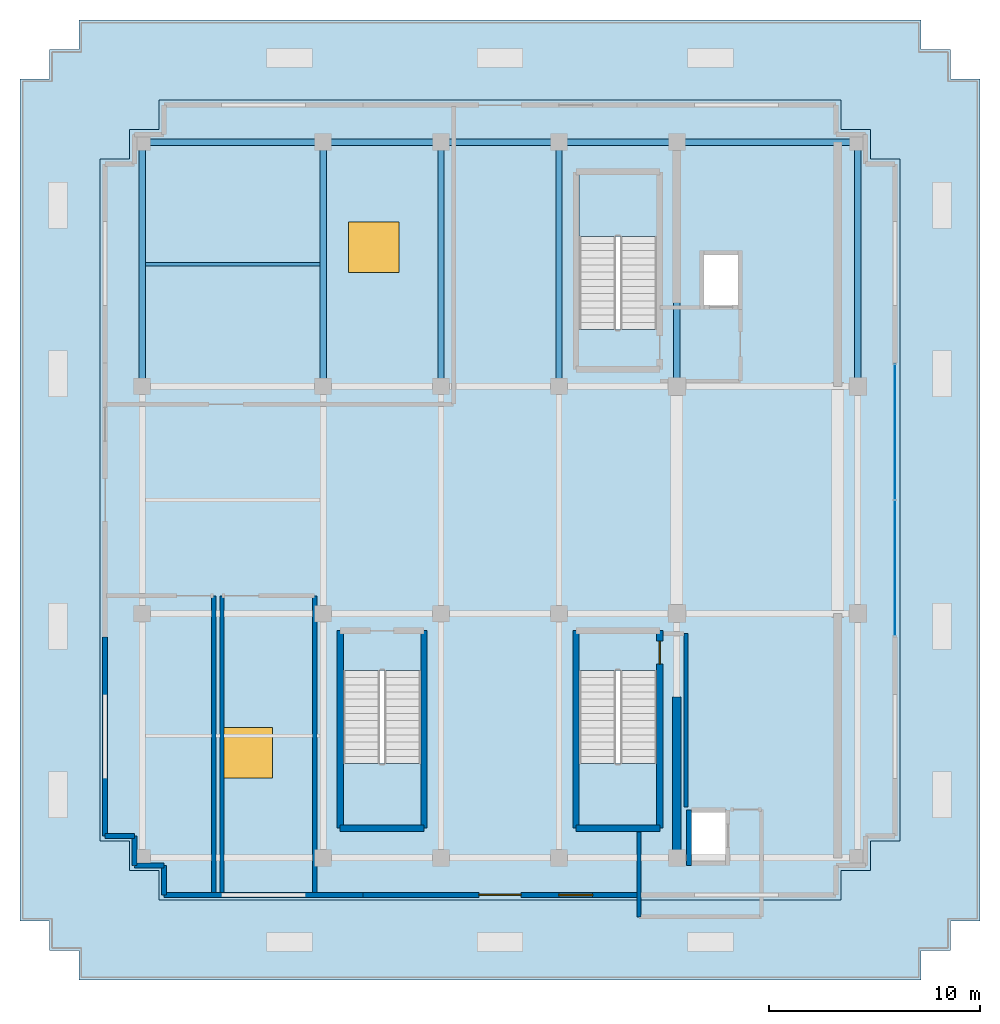
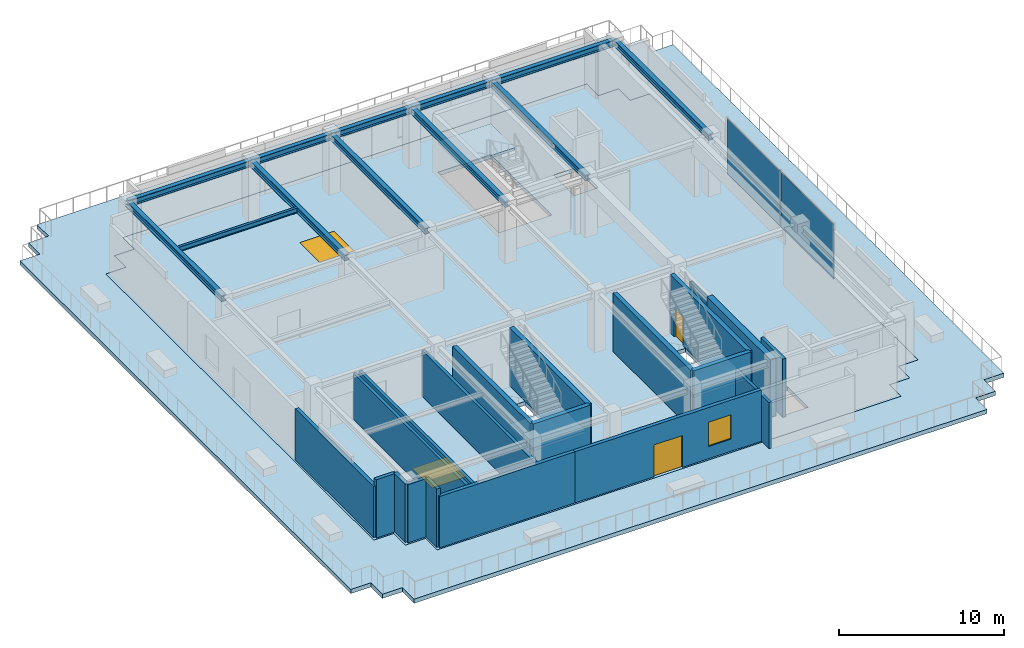
# One storey, part 3 of 13: 20 walls, 12 beams, 5 slabs, 3 windows, 2 doors, 2 plates, 5 openings, 4 elements without a shape of their own.
"""IFC4 building model written with IfcOpenShell, lengths in metres."""

from ifc_helpers import new_model, si_unit, direction, frame, frame_2d, origin, origin_2d, place, context, subcontext, project, spatial, polyline, rectangle, i_section, outline, extrude, source, transform, mapped, material, layer, layer_set, material_profile, profile_set, type_object, element, fill, aggregate, save


model = new_model("IFC4")

# Units and contexts
model_context = context("Model", 3, precision=1e-05, world=origin(), true_north=direction((0.0, 1.0)))
body_context = subcontext(model_context, "Body", "Model", "MODEL_VIEW")
ifc_project = project(units=[si_unit("LENGTHUNIT", "METRE"), si_unit("AREAUNIT", "SQUARE_METRE"), si_unit("VOLUMEUNIT", "CUBIC_METRE"), si_unit("PLANEANGLEUNIT", "RADIAN"), si_unit("MASSUNIT", "GRAM", prefix="KILO")], contexts=[model_context])

# Site, building, storey
site_placement = place(None, origin())
site = spatial("IfcSite", under=ifc_project, at=site_placement, CompositionType="ELEMENT")
building_placement = place(site_placement, origin())
building = spatial("IfcBuilding", under=site, at=building_placement, Name="Nahalor Promenade Grand Hotel", CompositionType="ELEMENT")
storey_placement = place(building_placement, frame((0.0, 0.0, 357.050048828125)))
storey = spatial("IfcBuildingStorey", under=building, at=storey_placement, Name="L91", CompositionType="ELEMENT", Elevation=357.050048828125)

# Beams
ifc_material_1 = material(Name="Steel S355JR", Category="steel")
ifc_material_profile_1 = material_profile(ifc_material_1, i_section(OverallWidth=0.3, OverallDepth=0.45, WebThickness=0.014, FlangeThickness=0.026, at=origin_2d()), Name="HEB 450")
ifc_profile_set_1 = profile_set([ifc_material_profile_1], Name="Steel S355JR")
beam_type_1 = type_object("IfcBeamType", Name="Beam-Girder-HEB450", PredefinedType="BEAM", material=ifc_profile_set_1)
shared_shape_1 = source(origin(), body_context, "Body", "SweptSolid", [
    extrude(i_section(OverallWidth=0.3, OverallDepth=0.45, WebThickness=0.014, FlangeThickness=0.026, at=origin_2d()), origin(), (0.0, 0.0, 1.0), 8.60009765625),
])
for number, where, z_axis, x_axis, name in (
    (1, (-17.0, 17.0, 4.074951171875), (1.0, 0.0, 0.0), (0.0, 1.0, 0.0), "BM-L91-GX-3-0"),
    (2, (8.39990234375, 17.0, 4.074951171875), (1.0, 0.0, 0.0), (0.0, 1.0, 0.0), "BM-L91-GX-3-4"),
):
    element("IfcBeam", number, at=place(storey_placement, frame(where, z_axis=z_axis, x_axis=x_axis)), inside=storey, type_object=beam_type_1, Name=name, PredefinedType="BEAM", context=body_context, shape_type="MappedRepresentation", body=[
        mapped(shared_shape_1, transform((0.0, 0.0, 0.0), scale=1.0)),
    ])
shared_shape_2 = source(origin(), body_context, "Body", "SweptSolid", [
    extrude(i_section(OverallWidth=0.3, OverallDepth=0.45, WebThickness=0.014, FlangeThickness=0.026, at=origin_2d()), origin(), (0.0, 0.0, 1.0), 5.599853515625),
])
for number, where, z_axis, x_axis, name in (
    (3, (-8.39990234375, 17.0, 4.074951171875), (1.0, 0.0, 0.0), (0.0, 1.0, 0.0), "BM-L91-GX-3-1"),
    (4, (2.800048828125, 17.0, 4.074951171875), (1.0, 0.0, 0.0), (0.0, 1.0, 0.0), "BM-L91-GX-3-3"),
):
    element("IfcBeam", number, at=place(storey_placement, frame(where, z_axis=z_axis, x_axis=x_axis)), inside=storey, type_object=beam_type_1, Name=name, PredefinedType="BEAM", context=body_context, shape_type="MappedRepresentation", body=[
        mapped(shared_shape_2, transform((0.0, 0.0, 0.0), scale=1.0)),
    ])
shared_shape_3 = source(origin(), body_context, "Body", "SweptSolid", [
    extrude(i_section(OverallWidth=0.3, OverallDepth=0.45, WebThickness=0.014, FlangeThickness=0.026, at=origin_2d()), origin(), (0.0, 0.0, 1.0), 5.60009765625),
])
beam_1_placement = place(storey_placement, frame((-2.800048828125, 17.0, 4.074951171875), z_axis=(1.0, 0.0, 0.0), x_axis=(0.0, 1.0, 0.0)))
element("IfcBeam", 5, at=beam_1_placement, inside=storey, type_object=beam_type_1, Name="BM-L91-GX-3-2", PredefinedType="BEAM", context=body_context, shape_type="MappedRepresentation", body=[
    mapped(shared_shape_3, transform((0.0, 0.0, 0.0), scale=1.0)),
])
shared_shape_4 = source(origin(), body_context, "Body", "SweptSolid", [
    extrude(i_section(OverallWidth=0.3, OverallDepth=0.45, WebThickness=0.014, FlangeThickness=0.026, at=origin_2d()), origin(), (0.0, 0.0, 1.0), 11.60009765625),
])
for number, where, z_axis, x_axis, name in (
    (6, (-17.0, 5.39990234375, 4.074951171875), (0.0, 1.0, 0.0), (-1.0, 0.0, 0.0), "BM-L91-GY-0-2"),
    (7, (-8.39990234375, 5.39990234375, 4.074951171875), (0.0, 1.0, 0.0), (-1.0, 0.0, 0.0), "BM-L91-GY-1-2"),
    (8, (-2.800048828125, 5.39990234375, 4.074951171875), (0.0, 1.0, 0.0), (-1.0, 0.0, 0.0), "BM-L91-GY-2-2"),
    (9, (2.800048828125, 5.39990234375, 4.074951171875), (0.0, 1.0, 0.0), (-1.0, 0.0, 0.0), "BM-L91-GY-3-2"),
    (10, (8.39990234375, 5.39990234375, 4.074951171875), (0.0, 1.0, 0.0), (-1.0, 0.0, 0.0), "BM-L91-GY-4-2"),
    (11, (17.0, 5.39990234375, 4.074951171875), (0.0, 1.0, 0.0), (-1.0, 0.0, 0.0), "BM-L91-GY-5-2"),
):
    element("IfcBeam", number, at=place(storey_placement, frame(where, z_axis=z_axis, x_axis=x_axis)), inside=storey, type_object=beam_type_1, Name=name, PredefinedType="BEAM", context=body_context, shape_type="MappedRepresentation", body=[
        mapped(shared_shape_4, transform((0.0, 0.0, 0.0), scale=1.0)),
    ])
ifc_material_profile_2 = material_profile(ifc_material_1, i_section(OverallWidth=0.17, OverallDepth=0.36, WebThickness=0.008, FlangeThickness=0.0127, at=origin_2d()), Name="IPE 360")
ifc_profile_set_2 = profile_set([ifc_material_profile_2], Name="Steel S355JR")
beam_type_2 = type_object("IfcBeamType", Name="Beam-Joist-IPE360", PredefinedType="JOIST", material=ifc_profile_set_2)
shared_shape_5 = source(origin(), body_context, "Body", "SweptSolid", [
    extrude(i_section(OverallWidth=0.17, OverallDepth=0.36, WebThickness=0.008, FlangeThickness=0.0127, at=origin_2d()), origin(), (0.0, 0.0, 1.0), 8.300048828125),
])
beam_2_placement = place(storey_placement, frame((-16.85009765625, 11.199951171875, 4.119873046875), z_axis=(1.0, 0.0, 0.0), x_axis=(0.0, 1.0, 0.0)))
element("IfcBeam", 12, at=beam_2_placement, inside=storey, type_object=beam_type_2, Name="BM-L91-JSW-1-1", PredefinedType="JOIST", context=body_context, shape_type="MappedRepresentation", body=[
    mapped(shared_shape_5, transform((0.0, 0.0, 0.0), scale=1.0)),
])

# Stair, slab
ifc_material_2 = material(Name="Concrete B-50 (C40/50)", Category="concrete")
stair_type_1 = type_object("IfcStairType", Name="Stair-ST1", PredefinedType="HALF_TURN_STAIR", material=ifc_material_2)
stair_1_placement = place(storey_placement, origin())
stair_1 = element("IfcStair", 13, at=stair_1_placement, inside=storey, type_object=stair_type_1, Name="L91 ST1", PredefinedType="HALF_TURN_STAIR")
ifc_layer_1 = layer(ifc_material_2, 0.199951171875)
ifc_layer_set_1 = layer_set([ifc_layer_1], Name="Concrete B-50 (C40/50)")
slab_type_1 = type_object("IfcSlabType", Name="Landing-ST1", PredefinedType="LANDING", material=ifc_layer_set_1)
slab_1_placement = place(storey_placement, frame((0.0, 0.0, 2.099853515625)))
slab_1 = element("IfcSlab", 14, at=slab_1_placement, type_object=slab_type_1, Name="ST1 landing 1", PredefinedType="LANDING", context=body_context, shape_type="SweptSolid", body=[
    extrude(outline(polyline([(7.449951171875, 12.52001953125), (7.449951171875, 15.449951171875), (3.75, 15.449951171875), (3.75, 12.52001953125), (7.449951171875, 12.52001953125)])), origin(), (0.0, 0.0, 1.0), 0.2001953125),
])
aggregate(stair_1, [slab_1])

stair_type_2 = type_object("IfcStairType", Name="Stair-ST2", PredefinedType="HALF_TURN_STAIR", material=ifc_material_2)
stair_2_placement = place(storey_placement, origin())
stair_2 = element("IfcStair", 15, at=stair_2_placement, inside=storey, type_object=stair_type_2, Name="L91 ST2", PredefinedType="HALF_TURN_STAIR")
ifc_layer_2 = layer(ifc_material_2, 0.2099609375)
ifc_layer_set_2 = layer_set([ifc_layer_2], Name="Concrete B-50 (C40/50)")
slab_type_2 = type_object("IfcSlabType", Name="Landing-ST2", PredefinedType="LANDING", material=ifc_layer_set_2)
slab_2_placement = place(storey_placement, frame((0.0, 0.0, 2.08984375)))
slab_2 = element("IfcSlab", 16, at=slab_2_placement, type_object=slab_type_2, Name="ST2 landing 1", PredefinedType="LANDING", context=body_context, shape_type="SweptSolid", body=[
    extrude(outline(polyline([(3.75, -12.52001953125), (3.75, -15.449951171875), (7.449951171875, -15.449951171875), (7.449951171875, -12.52001953125), (3.75, -12.52001953125)])), origin(), (0.0, 0.0, 1.0), 0.210205078125),
])
aggregate(stair_2, [slab_2])

stair_type_3 = type_object("IfcStairType", Name="Stair-ST3", PredefinedType="HALF_TURN_STAIR", material=ifc_material_2)
stair_3_placement = place(storey_placement, origin())
stair_3 = element("IfcStair", 17, at=stair_3_placement, inside=storey, type_object=stair_type_3, Name="L91 ST3", PredefinedType="HALF_TURN_STAIR")
ifc_layer_3 = layer(ifc_material_2, 0.219970703125)
ifc_layer_set_3 = layer_set([ifc_layer_3], Name="Concrete B-50 (C40/50)")
slab_type_3 = type_object("IfcSlabType", Name="Landing-ST3", PredefinedType="LANDING", material=ifc_layer_set_3)
slab_3_placement = place(storey_placement, frame((0.0, 0.0, 2.079833984375)))
slab_3 = element("IfcSlab", 18, at=slab_3_placement, type_object=slab_type_3, Name="ST3 landing 1", PredefinedType="LANDING", context=body_context, shape_type="SweptSolid", body=[
    extrude(outline(polyline([(-7.449951171875, -12.52001953125), (-7.449951171875, -15.449951171875), (-3.75, -15.449951171875), (-3.75, -12.52001953125), (-7.449951171875, -12.52001953125)])), origin(), (0.0, 0.0, 1.0), 0.22021484375),
])
aggregate(stair_3, [slab_3])

# Slab
ifc_layer_4 = layer(ifc_material_2, 0.31005859375)
ifc_layer_set_4 = layer_set([ifc_layer_4], Name="Concrete B-50 (C40/50)")
slab_type_4 = type_object("IfcSlabType", Name="Slab-Terrace-310", PredefinedType="FLOOR", material=ifc_layer_set_4)
slab_4_placement = place(storey_placement, frame((0.0, 0.0, -0.31005859375)))
element("IfcSlab", 19, at=slab_4_placement, inside=storey, type_object=slab_type_4, Name="L91 Sky Garden Roof Terrace", PredefinedType="FLOOR", context=body_context, shape_type="SweptSolid", body=[
    extrude(outline(polyline([(-20.0, -22.800048828125), (20.0, -22.800048828125), (20.0, -21.39990234375), (21.39990234375, -21.39990234375), (21.39990234375, -20.0), (22.800048828125, -20.0), (22.800048828125, 20.0), (21.39990234375, 20.0), (21.39990234375, 21.39990234375), (20.0, 21.39990234375), (20.0, 22.800048828125), (-20.0, 22.800048828125), (-20.0, 21.39990234375), (-21.39990234375, 21.39990234375), (-21.39990234375, 20.0), (-22.800048828125, 20.0), (-22.800048828125, -20.0), (-21.39990234375, -20.0), (-21.39990234375, -21.39990234375), (-20.0, -21.39990234375), (-20.0, -22.800048828125)]), holes=[polyline([(-16.199951171875, -19.0), (16.199951171875, -19.0), (16.199951171875, -17.60009765625), (17.60009765625, -17.60009765625), (17.60009765625, -16.199951171875), (19.0, -16.199951171875), (19.0, 16.199951171875), (17.60009765625, 16.199951171875), (17.60009765625, 17.60009765625), (16.199951171875, 17.60009765625), (16.199951171875, 19.0), (-16.199951171875, 19.0), (-16.199951171875, 17.60009765625), (-17.60009765625, 17.60009765625), (-17.60009765625, 16.199951171875), (-19.0, 16.199951171875), (-19.0, -16.199951171875), (-17.60009765625, -16.199951171875), (-17.60009765625, -17.60009765625), (-16.199951171875, -17.60009765625), (-16.199951171875, -19.0)])]), origin(), (0.0, 0.0, 1.0), 0.31005859375),
])

# Slab, openings, windows
ifc_layer_5 = layer(ifc_material_2, 0.300048828125)
ifc_layer_set_5 = layer_set([ifc_layer_5], Name="Concrete B-50 (C40/50)")
slab_type_5 = type_object("IfcSlabType", Name="Slab-TowerZ5-300", PredefinedType="FLOOR", material=ifc_layer_set_5)
slab_5_placement = place(storey_placement, frame((0.0, 0.0, -0.300048828125)))
slab_5 = element("IfcSlab", 20, at=slab_5_placement, inside=storey, type_object=slab_type_5, Name="L91 Suspended Structural Floor Slab", PredefinedType="FLOOR", context=body_context, shape_type="SweptSolid", body=[
    extrude(outline(polyline([(-16.199951171875, -19.0), (16.199951171875, -19.0), (16.199951171875, -17.60009765625), (17.60009765625, -17.60009765625), (17.60009765625, -16.199951171875), (19.0, -16.199951171875), (19.0, 16.199951171875), (17.60009765625, 16.199951171875), (17.60009765625, 17.60009765625), (16.199951171875, 17.60009765625), (16.199951171875, 19.0), (-16.199951171875, 19.0), (-16.199951171875, 17.60009765625), (-17.60009765625, 17.60009765625), (-17.60009765625, 16.199951171875), (-19.0, 16.199951171875), (-19.0, -16.199951171875), (-17.60009765625, -16.199951171875), (-17.60009765625, -17.60009765625), (-16.199951171875, -17.60009765625), (-16.199951171875, -19.0)]), holes=[polyline([(3.75, 8.10009765625), (7.449951171875, 8.10009765625), (7.449951171875, 15.449951171875), (3.75, 15.449951171875), (3.75, 8.10009765625)]), polyline([(3.75, -15.449951171875), (7.449951171875, -15.449951171875), (7.449951171875, -8.10009765625), (3.75, -8.10009765625), (3.75, -15.449951171875)]), polyline([(-7.449951171875, -15.449951171875), (-3.75, -15.449951171875), (-3.75, -8.10009765625), (-7.449951171875, -8.10009765625), (-7.449951171875, -15.449951171875)]), polyline([(9.659912109375, 9.2099609375), (11.340087890625, 9.2099609375), (11.340087890625, 11.68994140625), (9.659912109375, 11.68994140625), (9.659912109375, 9.2099609375)]), polyline([(9.06005859375, -17.18994140625), (10.739990234375, -17.18994140625), (10.739990234375, -14.7099609375), (9.06005859375, -14.7099609375), (9.06005859375, -17.18994140625)])]), origin(), (0.0, 0.0, 1.0), 0.300048828125),
])
opening_1_placement = place(slab_5_placement, frame((-6.0, 12.0, 0.0)))
opening_1 = element("IfcOpeningElement", 21, at=opening_1_placement, cuts=slab_5, Name="Opening SK-01", PredefinedType="OPENING", context=body_context, shape_type="SweptSolid", body=[
    extrude(rectangle(XDim=2.39990234375, YDim=2.39990234375, at=origin_2d()), frame((0.0, 0.0, -0.010009765625)), (0.0, 0.0, 1.0), 0.320068359375),
])
opening_2_placement = place(slab_5_placement, frame((-12.0, -12.0, 0.0)))
opening_2 = element("IfcOpeningElement", 22, at=opening_2_placement, cuts=slab_5, Name="Opening SK-01", PredefinedType="OPENING", context=body_context, shape_type="SweptSolid", body=[
    extrude(rectangle(XDim=2.39990234375, YDim=2.39990234375, at=origin_2d()), frame((0.0, 0.0, -0.010009765625)), (0.0, 0.0, 1.0), 0.320068359375),
])
ifc_material_3 = material(Name="Low-E Laminated Solar Glass", Category="glass")
window_type_1 = type_object("IfcWindowType", Name="Win-RoofSkylight-2400x2400", PartitioningType="SINGLE_PANEL", PredefinedType="SKYLIGHT", material=ifc_material_3)
window_1_placement = place(opening_1_placement, frame((0.0, 0.0, 0.25)))
window_1 = element("IfcWindow", 23, at=window_1_placement, inside=storey, type_object=window_type_1, Name="L91 Roof Skylight 05", OverallHeight=2.39990234375, OverallWidth=2.39990234375, PartitioningType="SINGLE_PANEL", PredefinedType="SKYLIGHT", context=body_context, shape_type="SweptSolid", body=[
    extrude(rectangle(XDim=2.39990234375, YDim=2.39990234375, at=origin_2d()), origin(), (0.0, 0.0, 1.0), 0.050048828125),
])
fill(opening_1, window_1)
window_2_placement = place(opening_2_placement, frame((0.0, 0.0, 0.25)))
window_2 = element("IfcWindow", 24, at=window_2_placement, inside=storey, type_object=window_type_1, Name="L91 Roof Skylight 06", OverallHeight=2.39990234375, OverallWidth=2.39990234375, PartitioningType="SINGLE_PANEL", PredefinedType="SKYLIGHT", context=body_context, shape_type="SweptSolid", body=[
    extrude(rectangle(XDim=2.39990234375, YDim=2.39990234375, at=origin_2d()), origin(), (0.0, 0.0, 1.0), 0.050048828125),
])
fill(opening_2, window_2)

# Curtain wall, plates
ifc_material_4 = material(Name="Anodised Bronze Aluminium EN AW-6063 T6", Category="aluminium")
curtain_wall_type = type_object("IfcCurtainWallType", Name="CW6 Crown Botanical Conservatory Curtain Wall", PredefinedType="USERDEFINED", material=ifc_material_4)
curtain_wall_placement = place(storey_placement, origin())
curtain_wall = element("IfcCurtainWall", 25, at=curtain_wall_placement, inside=storey, type_object=curtain_wall_type, Name="L91 Curtain Wall CW-L91-E", ObjectType="UNITISED_CURTAIN_WALL", PredefinedType="USERDEFINED")
ifc_layer_6 = layer(ifc_material_3, 0.033935546875)
ifc_layer_set_6 = layer_set([ifc_layer_6], Name="Low-E Laminated Solar Glass")
plate_type = type_object("IfcPlateType", Name="CWP6 Conservatory Solar-Select IGU 34mm", PredefinedType="CURTAIN_PANEL", material=ifc_layer_set_6)
shared_shape_6 = source(origin(), body_context, "Body", "SweptSolid", [
    extrude(rectangle(XDim=6.387451171875, YDim=0.033935546875, at=origin_2d()), origin(), (0.0, 0.0, 1.0), 4.030029296875),
])
plate_1_placement = place(storey_placement, frame((18.760009765625, -3.231201171875, 0.134765625), z_axis=(0.0, 0.0, 1.0), x_axis=(0.0, 1.0, 0.0)))
plate_1 = element("IfcPlate", 26, at=plate_1_placement, type_object=plate_type, Name="CW-L91-E Glazing Panel 0-0", PredefinedType="CURTAIN_PANEL", context=body_context, shape_type="MappedRepresentation", body=[
    mapped(shared_shape_6, transform((0.0, 0.0, 0.0), scale=1.0)),
])
plate_2_placement = place(storey_placement, frame((18.760009765625, 3.231201171875, 0.134765625), z_axis=(0.0, 0.0, 1.0), x_axis=(0.0, 1.0, 0.0)))
plate_2 = element("IfcPlate", 27, at=plate_2_placement, type_object=plate_type, Name="CW-L91-E Glazing Panel 1-0", PredefinedType="CURTAIN_PANEL", context=body_context, shape_type="MappedRepresentation", body=[
    mapped(shared_shape_6, transform((0.0, 0.0, 0.0), scale=1.0)),
])
aggregate(curtain_wall, [plate_1, plate_2])

# Walls
ifc_layer_7 = layer(ifc_material_2, 0.39990234375)
ifc_layer_set_7 = layer_set([ifc_layer_7], Name="Concrete B-50 (C40/50)")
wall_type_1 = type_object("IfcWallType", Name="Wall-CoreShear-400", PredefinedType="SHEAR", material=ifc_layer_set_7)
shared_shape_7 = source(origin(), body_context, "Body", "SweptSolid", [
    extrude(rectangle(XDim=7.64990234375, YDim=0.39990234375, at=frame_2d((3.824951171875, 0.0))), origin(), (0.0, 0.0, 1.0), 4.300048828125),
])
wall_1_placement = place(storey_placement, frame((8.39990234375, -17.0, 0.0), z_axis=(0.0, 0.0, 1.0), x_axis=(0.0, 1.0, 0.0)))
element("IfcWall", 28, at=wall_1_placement, inside=storey, type_object=wall_type_1, Name="CWALL-L91-SW", PredefinedType="SHEAR", context=body_context, shape_type="MappedRepresentation", body=[
    mapped(shared_shape_7, transform((0.0, 0.0, 0.0), scale=1.0)),
])
ifc_layer_8 = layer(ifc_material_2, 0.300048828125)
ifc_layer_set_8 = layer_set([ifc_layer_8], Name="Concrete B-50 (C40/50)")
wall_type_2 = type_object("IfcWallType", Name="Wall-ShaftShear-300", PredefinedType="SHEAR", material=ifc_layer_set_8)
shared_shape_8 = source(origin(), body_context, "Body", "SweptSolid", [
    extrude(rectangle(XDim=3.97998046875, YDim=0.300048828125, at=frame_2d((1.989990234375, 0.0))), origin(), (0.0, 0.0, 1.0), 4.300048828125),
])
for number, where, z_axis, x_axis, name in (
    (29, (3.610107421875, -15.590087890625, 0.0), (0.0, 0.0, 1.0), (1.0, 0.0, 0.0), "L91 Exit Stair ST2 Shaft Wall S"),
    (30, (-7.590087890625, -15.590087890625, 0.0), (0.0, 0.0, 1.0), (1.0, 0.0, 0.0), "L91 Exit Stair ST3 Shaft Wall S"),
):
    element("IfcWall", number, at=place(storey_placement, frame(where, z_axis=z_axis, x_axis=x_axis)), inside=storey, type_object=wall_type_2, Name=name, PredefinedType="SHEAR", context=body_context, shape_type="MappedRepresentation", body=[
        mapped(shared_shape_8, transform((0.0, 0.0, 0.0), scale=1.0)),
    ])
shared_shape_9 = source(origin(), body_context, "Body", "SweptSolid", [
    extrude(rectangle(XDim=9.380126953125, YDim=0.300048828125, at=frame_2d((4.68994140625, 0.0))), origin(), (0.0, 0.0, 1.0), 4.300048828125),
])
wall_2_placement = place(storey_placement, frame((3.610107421875, -15.590087890625, 0.0), z_axis=(0.0, 0.0, 1.0), x_axis=(0.0, 1.0, 0.0)))
element("IfcWall", 31, at=wall_2_placement, inside=storey, type_object=wall_type_2, Name="L91 Exit Stair ST2 Shaft Wall W", PredefinedType="SHEAR", context=body_context, shape_type="MappedRepresentation", body=[
    mapped(shared_shape_9, transform((0.0, 0.0, 0.0), scale=1.0)),
])

# Wall, opening, door
wall_3_placement = place(storey_placement, frame((7.590087890625, -15.590087890625, 0.0), z_axis=(0.0, 0.0, 1.0), x_axis=(0.0, 1.0, 0.0)))
wall_3 = element("IfcWall", 32, at=wall_3_placement, inside=storey, type_object=wall_type_2, Name="L91 Exit Stair ST2 Shaft Wall E", PredefinedType="SHEAR", context=body_context, shape_type="MappedRepresentation", body=[
    mapped(shared_shape_9, transform((0.0, 0.0, 0.0), scale=1.0)),
])
opening_3_placement = place(wall_3_placement, frame((7.7900390625, 0.0, 0.0)))
opening_3 = element("IfcOpeningElement", 33, at=opening_3_placement, cuts=wall_3, Name="Opening D-ST1", PredefinedType="OPENING", context=body_context, shape_type="SweptSolid", body=[
    extrude(rectangle(XDim=1.10009765625, YDim=2.14990234375, at=frame_2d((0.550048828125, 1.074951171875))), frame((0.0, 0.159912109375, 0.0), z_axis=(0.0, -1.0, 0.0), x_axis=(1.0, 0.0, 0.0)), (0.0, 0.0, 1.0), 0.320068359375),
])
door_type_1 = type_object("IfcDoorType", Name="Door-StairFire-1100", OperationType="NOTDEFINED", PredefinedType="DOOR", material=ifc_material_1)
shared_shape_10 = source(origin(), body_context, "Body", "SweptSolid", [
    extrude(rectangle(XDim=1.10009765625, YDim=2.14990234375, at=frame_2d((0.550048828125, 1.074951171875))), frame((0.0, 0.02490234375, 0.0), z_axis=(0.0, -1.0, 0.0), x_axis=(1.0, 0.0, 0.0)), (0.0, 0.0, 1.0), 0.050048828125),
])
door_1_placement = place(opening_3_placement, origin())
door_1 = element("IfcDoor", 34, at=door_1_placement, inside=storey, type_object=door_type_1, Name="DR-STAIR-ST2-L91", OperationType="SINGLE_SWING_RIGHT", OverallHeight=2.14990234375, OverallWidth=1.10009765625, PredefinedType="DOOR", context=body_context, shape_type="MappedRepresentation", body=[
    mapped(shared_shape_10, transform((0.0, 0.0, 0.0), scale=1.0)),
])
fill(opening_3, door_1)

# Walls
for number, where, z_axis, x_axis, name in (
    (35, (-7.590087890625, -15.590087890625, 0.0), (0.0, 0.0, 1.0), (0.0, 1.0, 0.0), "L91 Exit Stair ST3 Shaft Wall W"),
    (36, (-3.610107421875, -15.590087890625, 0.0), (0.0, 0.0, 1.0), (0.0, 1.0, 0.0), "L91 Exit Stair ST3 Shaft Wall E"),
):
    element("IfcWall", number, at=place(storey_placement, frame(where, z_axis=z_axis, x_axis=x_axis)), inside=storey, type_object=wall_type_2, Name=name, PredefinedType="SHEAR", context=body_context, shape_type="MappedRepresentation", body=[
        mapped(shared_shape_9, transform((0.0, 0.0, 0.0), scale=1.0)),
    ])
ifc_layer_9 = layer(ifc_material_2, 0.219970703125)
ifc_layer_set_9 = layer_set([ifc_layer_9], Name="Concrete B-50 (C40/50)")
wall_type_3 = type_object("IfcWallType", Name="Wall-LiftShaft-220", PredefinedType="SHEAR", material=ifc_layer_set_9)
shared_shape_11 = source(origin(), body_context, "Body", "SweptSolid", [
    extrude(rectangle(XDim=2.635009765625, YDim=0.219970703125, at=frame_2d((1.3173828125, 0.0))), origin(), (0.0, 0.0, 1.0), 4.300048828125),
])
wall_4_placement = place(storey_placement, frame((8.97998046875, -17.360107421875, 0.0), z_axis=(0.0, 0.0, 1.0), x_axis=(0.0, 1.0, 0.0)))
element("IfcWall", 37, at=wall_4_placement, inside=storey, type_object=wall_type_3, Name="L91 Lift FL2 Hoistway Wall W", PredefinedType="SHEAR", context=body_context, shape_type="MappedRepresentation", body=[
    mapped(shared_shape_11, transform((0.0, 0.0, 0.0), scale=1.0)),
])
ifc_material_5 = material(Name="Concrete B-40 (C32/40)", Category="concrete")
ifc_layer_10 = layer(ifc_material_5, 0.25)
ifc_layer_set_10 = layer_set([ifc_layer_10], Name="Concrete B-40 (C32/40)")
wall_type_4 = type_object("IfcWallType", Name="Wall-BronzePier-250", PredefinedType="STANDARD", material=ifc_layer_set_10)
shared_shape_12 = source(origin(), body_context, "Body", "SweptSolid", [
    extrude(rectangle(XDim=1.39990234375, YDim=0.25, at=frame_2d((0.699951171875, 0.0))), origin(), (0.0, 0.0, 1.0), 4.300048828125),
])
for number, where, z_axis, x_axis, name in (
    (38, (-18.760009765625, -15.9599609375, 0.0), (0.0, 0.0, 1.0), (1.0, 0.0, 0.0), "W-L91-SR-13"),
    (39, (-15.9599609375, -18.760009765625, 0.0), (0.0, 0.0, 1.0), (0.0, 1.0, 0.0), "W-L91-SR-16"),
):
    element("IfcWall", number, at=place(storey_placement, frame(where, z_axis=z_axis, x_axis=x_axis)), inside=storey, type_object=wall_type_4, Name=name, PredefinedType="STANDARD", context=body_context, shape_type="MappedRepresentation", body=[
        mapped(shared_shape_12, transform((0.0, 0.0, 0.0), scale=1.0)),
    ])
shared_shape_13 = source(origin(), body_context, "Body", "SweptSolid", [
    extrude(rectangle(XDim=1.400146484375, YDim=0.25, at=frame_2d((0.7001953125, 0.0))), origin(), (0.0, 0.0, 1.0), 4.300048828125),
])
for number, where, z_axis, x_axis, name in (
    (40, (-17.360107421875, -17.360107421875, 0.0), (0.0, 0.0, 1.0), (0.0, 1.0, 0.0), "W-L91-SR-14"),
    (41, (-17.360107421875, -17.360107421875, 0.0), (0.0, 0.0, 1.0), (1.0, 0.0, 0.0), "W-L91-SR-15"),
):
    element("IfcWall", number, at=place(storey_placement, frame(where, z_axis=z_axis, x_axis=x_axis)), inside=storey, type_object=wall_type_4, Name=name, PredefinedType="STANDARD", context=body_context, shape_type="MappedRepresentation", body=[
        mapped(shared_shape_13, transform((0.0, 0.0, 0.0), scale=1.0)),
    ])
shared_shape_14 = source(origin(), body_context, "Body", "SweptSolid", [
    extrude(rectangle(XDim=9.4599609375, YDim=0.25, at=frame_2d((4.72998046875, 0.0))), origin(), (0.0, 0.0, 1.0), 3.780029296875),
])
for number, where, z_axis, x_axis, name in (
    (42, (-15.9599609375, -18.760009765625, 0.0), (0.0, 0.0, 1.0), (1.0, 0.0, 0.0), "W-L91-PL-SL"),
    (43, (-18.760009765625, -15.9599609375, 0.0), (0.0, 0.0, 1.0), (0.0, 1.0, 0.0), "W-L91-PL-WL"),
):
    element("IfcWall", number, at=place(storey_placement, frame(where, z_axis=z_axis, x_axis=x_axis)), inside=storey, type_object=wall_type_4, Name=name, PredefinedType="STANDARD", context=body_context, shape_type="MappedRepresentation", body=[
        mapped(shared_shape_14, transform((0.0, 0.0, 0.0), scale=1.0)),
    ])

# Wall, openings, door, window
shared_shape_15 = source(origin(), body_context, "Body", "SweptSolid", [
    extrude(rectangle(XDim=13.0, YDim=0.25, at=frame_2d((6.5, 0.0))), origin(), (0.0, 0.0, 1.0), 3.780029296875),
])
wall_5_placement = place(storey_placement, frame((-6.5, -18.760009765625, 0.0), z_axis=(0.0, 0.0, 1.0), x_axis=(1.0, 0.0, 0.0)))
wall_5 = element("IfcWall", 44, at=wall_5_placement, inside=storey, type_object=wall_type_4, Name="W-L91-SG-S", PredefinedType="STANDARD", context=body_context, shape_type="MappedRepresentation", body=[
    mapped(shared_shape_15, transform((0.0, 0.0, 0.0), scale=1.0)),
])
opening_4_placement = place(wall_5_placement, frame((5.5, 0.0, 0.0)))
opening_4 = element("IfcOpeningElement", 45, at=opening_4_placement, cuts=wall_5, Name="Opening D-TR1", PredefinedType="OPENING", context=body_context, shape_type="SweptSolid", body=[
    extrude(rectangle(XDim=2.0, YDim=2.35009765625, at=frame_2d((1.0, 1.175048828125))), frame((0.0, 0.135009765625, 0.0), z_axis=(0.0, -1.0, 0.0), x_axis=(1.0, 0.0, 0.0)), (0.0, 0.0, 1.0), 0.27001953125),
])
opening_5_placement = place(wall_5_placement, frame((9.300048828125, 0.0, 0.89990234375)))
opening_5 = element("IfcOpeningElement", 46, at=opening_5_placement, cuts=wall_5, Name="Opening WN-03", PredefinedType="OPENING", context=body_context, shape_type="SweptSolid", body=[
    extrude(rectangle(XDim=1.60009765625, YDim=1.800048828125, at=frame_2d((0.800048828125, 0.89990234375))), frame((0.0, 0.135009765625, 0.0), z_axis=(0.0, -1.0, 0.0), x_axis=(1.0, 0.0, 0.0)), (0.0, 0.0, 1.0), 0.27001953125),
])
door_type_2 = type_object("IfcDoorType", Name="Door-TerraceDouble-2000", OperationType="DOUBLE_DOOR_SINGLE_SWING", PredefinedType="DOOR", material=ifc_material_4)
shared_shape_16 = source(origin(), body_context, "Body", "SweptSolid", [
    extrude(rectangle(XDim=2.0, YDim=2.35009765625, at=frame_2d((1.0, 1.175048828125))), frame((0.0, 0.02490234375, 0.0), z_axis=(0.0, -1.0, 0.0), x_axis=(1.0, 0.0, 0.0)), (0.0, 0.0, 1.0), 0.050048828125),
])
door_2_placement = place(opening_4_placement, frame((2.0, 0.0, 0.0), z_axis=(0.0, 0.0, 1.0), x_axis=(-1.0, 0.0, 0.0)))
door_2 = element("IfcDoor", 47, at=door_2_placement, inside=storey, type_object=door_type_2, Name="DR-L91-SG-S", OperationType="DOUBLE_DOOR_SINGLE_SWING", OverallHeight=2.35009765625, OverallWidth=2.0, PredefinedType="DOOR", context=body_context, shape_type="MappedRepresentation", body=[
    mapped(shared_shape_16, transform((0.0, 0.0, 0.0), scale=1.0)),
])
fill(opening_4, door_2)
window_type_2 = type_object("IfcWindowType", Name="Win-CrownVented-1600x1800", PartitioningType="SINGLE_PANEL", PredefinedType="WINDOW", material=ifc_material_3)
shared_shape_17 = source(origin(), body_context, "Body", "SweptSolid", [
    extrude(rectangle(XDim=1.60009765625, YDim=1.800048828125, at=frame_2d((0.800048828125, 0.89990234375))), frame((0.0, 0.030029296875, 0.0), z_axis=(0.0, -1.0, 0.0), x_axis=(1.0, 0.0, 0.0)), (0.0, 0.0, 1.0), 0.06005859375),
])
window_3_placement = place(opening_5_placement, origin())
window_3 = element("IfcWindow", 48, at=window_3_placement, inside=storey, type_object=window_type_2, Name="WN-L91-SG-S", OverallHeight=1.800048828125, OverallWidth=1.60009765625, PartitioningType="SINGLE_PANEL", PredefinedType="WINDOW", context=body_context, shape_type="MappedRepresentation", body=[
    mapped(shared_shape_17, transform((0.0, 0.0, 0.0), scale=1.0)),
])
fill(opening_5, window_3)

# Walls
ifc_layer_11 = layer(ifc_material_5, 0.199951171875)
ifc_layer_set_11 = layer_set([ifc_layer_11], Name="Concrete B-40 (C32/40)")
wall_type_5 = type_object("IfcWallType", Name="Wall-PartFire-200", PredefinedType="PARTITIONING", material=ifc_layer_set_11)
shared_shape_18 = source(origin(), body_context, "Body", "SweptSolid", [
    extrude(rectangle(XDim=4.030029296875, YDim=0.199951171875, at=frame_2d((2.01513671875, 0.0))), origin(), (0.0, 0.0, 1.0), 3.39990234375),
])
wall_6_placement = place(storey_placement, frame((6.60009765625, -19.800048828125, 0.0), z_axis=(0.0, 0.0, 1.0), x_axis=(0.0, 1.0, 0.0)))
element("IfcWall", 49, at=wall_6_placement, inside=storey, type_object=wall_type_5, Name="W-L91-FF2-W1", PredefinedType="PARTITIONING", context=body_context, shape_type="MappedRepresentation", body=[
    mapped(shared_shape_18, transform((0.0, 0.0, 0.0), scale=1.0)),
])
shared_shape_19 = source(origin(), body_context, "Body", "SweptSolid", [
    extrude(rectangle(XDim=8.22998046875, YDim=0.199951171875, at=frame_2d((4.114990234375, 0.0))), origin(), (0.0, 0.0, 1.0), 3.39990234375),
])
wall_7_placement = place(storey_placement, frame((8.840087890625, -14.580078125, 0.0), z_axis=(0.0, 0.0, 1.0), x_axis=(0.0, 1.0, 0.0)))
element("IfcWall", 50, at=wall_7_placement, inside=storey, type_object=wall_type_5, Name="W-L91-FF2-M", PredefinedType="PARTITIONING", context=body_context, shape_type="MappedRepresentation", body=[
    mapped(shared_shape_19, transform((0.0, 0.0, 0.0), scale=1.0)),
])
shared_shape_20 = source(origin(), body_context, "Body", "SweptSolid", [
    extrude(rectangle(XDim=14.14990234375, YDim=0.199951171875, at=frame_2d((7.074951171875, 0.0))), origin(), (0.0, 0.0, 1.0), 3.39990234375),
])
for number, where, z_axis, x_axis, name in (
    (51, (-13.60009765625, -18.699951171875, 0.0), (0.0, 0.0, 1.0), (0.0, 1.0, 0.0), "W-L91-MP2-E"),
    (52, (-13.199951171875, -18.699951171875, 0.0), (0.0, 0.0, 1.0), (0.0, 1.0, 0.0), "W-L91-MP3-W"),
    (53, (-8.800048828125, -18.699951171875, 0.0), (0.0, 0.0, 1.0), (0.0, 1.0, 0.0), "W-L91-MP3-E"),
):
    element("IfcWall", number, at=place(storey_placement, frame(where, z_axis=z_axis, x_axis=x_axis)), inside=storey, type_object=wall_type_5, Name=name, PredefinedType="PARTITIONING", context=body_context, shape_type="MappedRepresentation", body=[
        mapped(shared_shape_20, transform((0.0, 0.0, 0.0), scale=1.0)),
    ])

save(model, "model.ifc")
